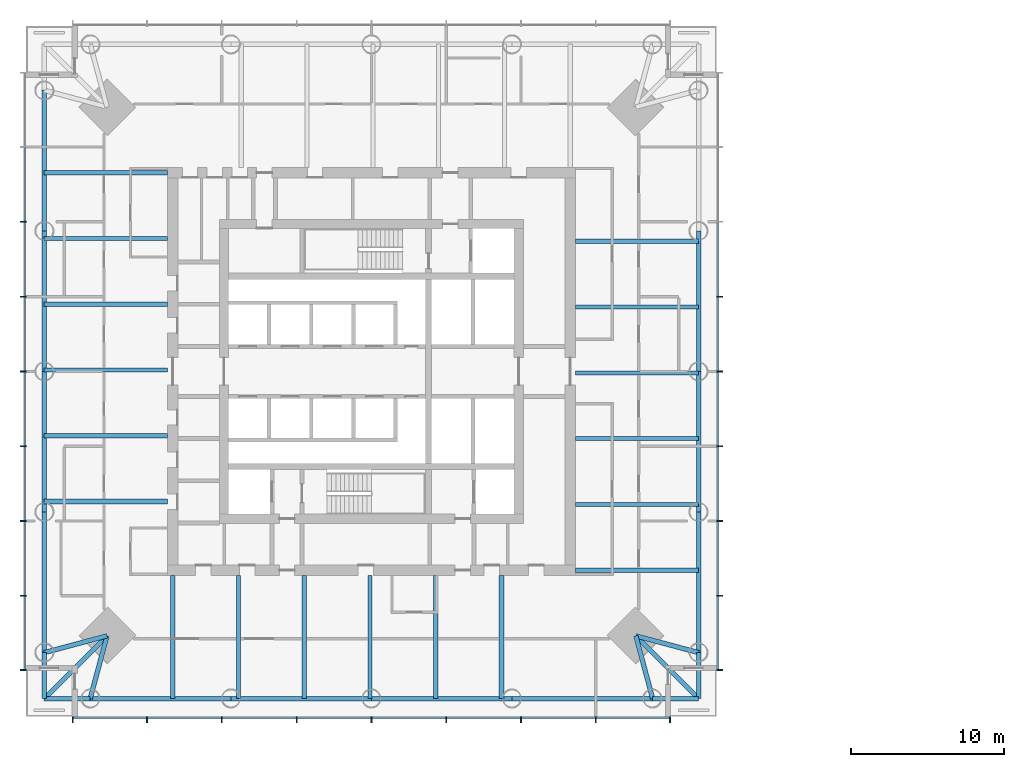
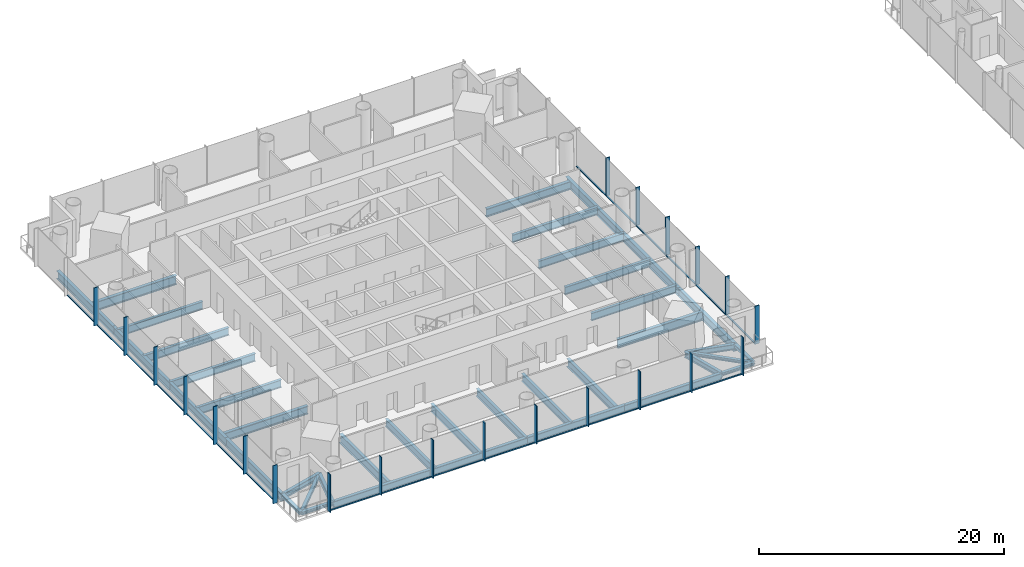
# One storey, part 2 of 18: 43 members, 39 beams, 3 elements without a shape of their own.
"""IFC4 building model written with IfcOpenShell, lengths in metres."""

from ifc_helpers import new_model, si_unit, direction, frame, origin, origin_2d, place, context, subcontext, project, spatial, rectangle, i_section, extrude, material, material_profile, profile_set, type_object, element, aggregate, save


model = new_model("IFC4")

# Units and contexts
model_context = context("Model", 3, precision=1e-05, world=origin(), true_north=direction((0.0, 1.0)))
body_context = subcontext(model_context, "Body", "Model", "MODEL_VIEW")
ifc_project = project(units=[si_unit("LENGTHUNIT", "METRE"), si_unit("AREAUNIT", "SQUARE_METRE"), si_unit("VOLUMEUNIT", "CUBIC_METRE"), si_unit("PLANEANGLEUNIT", "RADIAN"), si_unit("MASSUNIT", "GRAM", prefix="KILO")], contexts=[model_context])

# Site, building, storey
site_placement = place(None, origin())
site = spatial("IfcSite", under=ifc_project, at=site_placement, CompositionType="ELEMENT")
building_placement = place(site_placement, origin())
building = spatial("IfcBuilding", under=site, at=building_placement, Name="Ostroluk Exchange", CompositionType="ELEMENT")
storey_placement = place(building_placement, frame((0.0, 0.0, 104.60009765625)))
storey = spatial("IfcBuildingStorey", under=building, at=storey_placement, Name="L26", CompositionType="ELEMENT", Elevation=104.60009765625)

# Beams
ifc_material_1 = material(Name="Steel S355", Category="steel")
ifc_material_profile_1 = material_profile(ifc_material_1, i_section(OverallWidth=0.300048828125, OverallDepth=0.300048828125, WebThickness=0.010986328125, FlangeThickness=0.01904296875, FilletRadius=0.027099609375, at=origin_2d()), Name="HEB 300")
ifc_profile_set_1 = profile_set([ifc_material_profile_1], Name="Steel S355")
beam_type_1 = type_object("IfcBeamType", Name="Balcony beam HEB 300", PredefinedType="BEAM", material=ifc_profile_set_1)
for number, where, z_axis, x_axis, name in (
    (1, (23.67138671875, 27.67138671875, -0.330078125), (0.0, -1.0, 0.0), (1.0, 0.0, 0.0), "T1 west balcony beam a"),
    (2, (26.67138671875, 24.67138671875, -0.330078125), (-1.0, 0.0, 0.0), (0.0, -1.0, 0.0), "T1 west balcony beam b"),
):
    element("IfcBeam", number, at=place(storey_placement, frame(where, z_axis=z_axis, x_axis=x_axis)), inside=storey, type_object=beam_type_1, Name=name, PredefinedType="BEAM", context=body_context, shape_type="SweptSolid", body=[
        extrude(i_section(OverallWidth=0.300048828125, OverallDepth=0.300048828125, WebThickness=0.010986328125, FlangeThickness=0.01904296875, FilletRadius=0.027099609375, at=origin_2d()), origin(), (0.0, 0.0, 1.0), 3.0),
    ])
beam_1_placement = place(storey_placement, frame((27.771484375, 28.771484375, -0.330078125), z_axis=(-0.707106781187, -0.707106781187, 0.0), x_axis=(0.707106781187, -0.707106781187, 0.0)))
element("IfcBeam", 3, at=beam_1_placement, inside=storey, type_object=beam_type_1, Name="T1 west balcony beam c", PredefinedType="BEAM", context=body_context, shape_type="SweptSolid", body=[
    extrude(i_section(OverallWidth=0.300048828125, OverallDepth=0.300048828125, WebThickness=0.010986328125, FlangeThickness=0.01904296875, FilletRadius=0.027099609375, at=origin_2d()), origin(), (0.0, 0.0, 1.0), 5.79833984375),
])
for number, where, z_axis, x_axis, name in (
    (4, (63.32861328125, 24.67138671875, -0.330078125), (1.0, 0.0, 0.0), (0.0, 1.0, 0.0), "T1 south balcony beam a"),
    (5, (66.32861328125, 27.67138671875, -0.330078125), (0.0, -1.0, 0.0), (1.0, 0.0, 0.0), "T1 south balcony beam b"),
):
    element("IfcBeam", number, at=place(storey_placement, frame(where, z_axis=z_axis, x_axis=x_axis)), inside=storey, type_object=beam_type_1, Name=name, PredefinedType="BEAM", context=body_context, shape_type="SweptSolid", body=[
        extrude(i_section(OverallWidth=0.300048828125, OverallDepth=0.300048828125, WebThickness=0.010986328125, FlangeThickness=0.01904296875, FilletRadius=0.027099609375, at=origin_2d()), origin(), (0.0, 0.0, 1.0), 3.0),
    ])
beam_2_placement = place(storey_placement, frame((62.228515625, 28.771484375, -0.330078125), z_axis=(0.707106781187, -0.707106781187, 0.0), x_axis=(0.707106781187, 0.707106781187, 0.0)))
element("IfcBeam", 6, at=beam_2_placement, inside=storey, type_object=beam_type_1, Name="T1 south balcony beam c", PredefinedType="BEAM", context=body_context, shape_type="SweptSolid", body=[
    extrude(i_section(OverallWidth=0.300048828125, OverallDepth=0.300048828125, WebThickness=0.010986328125, FlangeThickness=0.01904296875, FilletRadius=0.027099609375, at=origin_2d()), origin(), (0.0, 0.0, 1.0), 5.79833984375),
])
ifc_material_2 = material(Name="Steel S355", Category="steel")
ifc_material_profile_2 = material_profile(ifc_material_2, i_section(OverallWidth=0.300048828125, OverallDepth=0.550048828125, WebThickness=0.014892578125, FlangeThickness=0.029052734375, FilletRadius=0.027099609375, at=origin_2d()), Name="HEB 550")
ifc_profile_set_2 = profile_set([ifc_material_profile_2], Name="Steel S355")
beam_type_2 = type_object("IfcBeamType", Name="Corner edge beam HEB 550", PredefinedType="SPANDREL", material=ifc_profile_set_2)
for number, where, z_axis, x_axis, name in (
    (7, (27.771484375, 28.771484375, -0.455078125), (-0.965838624319, -0.259144268261, 0.0), (0.259144268261, -0.965838624319, 0.0), "T1 west corner edge beam a"),
    (8, (27.771484375, 28.771484375, -0.455078125), (-0.259144268261, -0.965838624319, 0.0), (0.965838624319, -0.259144268261, 0.0), "T1 west corner edge beam b"),
    (9, (62.228515625, 28.771484375, -0.455078125), (0.259144268261, -0.965838624319, 0.0), (0.965838624319, 0.259144268261, 0.0), "T1 south corner edge beam a"),
    (10, (62.228515625, 28.771484375, -0.455078125), (0.965838624319, -0.259144268261, 0.0), (0.259144268261, 0.965838624319, 0.0), "T1 south corner edge beam b"),
):
    element("IfcBeam", number, at=place(storey_placement, frame(where, z_axis=z_axis, x_axis=x_axis)), inside=storey, type_object=beam_type_2, Name=name, PredefinedType="SPANDREL", context=body_context, shape_type="SweptSolid", body=[
        extrude(i_section(OverallWidth=0.300048828125, OverallDepth=0.550048828125, WebThickness=0.014892578125, FlangeThickness=0.029052734375, FilletRadius=0.027099609375, at=origin_2d()), origin(), (0.0, 0.0, 1.0), 4.2451171875),
    ])
ifc_material_3 = material(Name="Steel S355", Category="steel")
ifc_material_profile_3 = material_profile(ifc_material_3, i_section(OverallWidth=0.302978515625, OverallDepth=0.81396484375, WebThickness=0.02099609375, FlangeThickness=0.0400390625, FilletRadius=0.030029296875, at=origin_2d()), Name="HEM 800")
ifc_profile_set_3 = profile_set([ifc_material_profile_3], Name="Steel S355")
beam_type_3 = type_object("IfcBeamType", Name="Floor beam HEM 800", PredefinedType="BEAM", material=ifc_profile_set_3)
for number, where, z_axis, x_axis, name in (
    (11, (58.300048828125, 54.47412109375, -0.587158203125), (1.0, 0.0, 0.0), (0.0, 1.0, 0.0), "T1 east floor beam 5"),
    (12, (31.699951171875, 37.52587890625, -0.587158203125), (-1.0, 0.0, 0.0), (0.0, -1.0, 0.0), "T1 west floor beam 5"),
    (13, (53.47412109375, 32.699951171875, -0.587158203125), (0.0, -1.0, 0.0), (1.0, 0.0, 0.0), "T1 south floor beam 5"),
):
    element("IfcBeam", number, at=place(storey_placement, frame(where, z_axis=z_axis, x_axis=x_axis)), inside=storey, type_object=beam_type_3, Name=name, PredefinedType="BEAM", context=body_context, shape_type="SweptSolid", body=[
        extrude(i_section(OverallWidth=0.302978515625, OverallDepth=0.81396484375, WebThickness=0.02099609375, FlangeThickness=0.0400390625, FilletRadius=0.030029296875, at=origin_2d()), origin(), (0.0, 0.0, 1.0), 8.028564453125),
    ])
ifc_material_4 = material(Name="Steel S355", Category="steel")
ifc_material_profile_4 = material_profile(ifc_material_4, i_section(OverallWidth=0.26708984375, OverallDepth=0.761962890625, WebThickness=0.014404296875, FlangeThickness=0.021484375, FilletRadius=0.01708984375, at=origin_2d()), Name="IPE 750x173")
ifc_profile_set_4 = profile_set([ifc_material_profile_4], Name="Steel S355")
beam_type_4 = type_object("IfcBeamType", Name="Floor beam IPE 750x173", PredefinedType="BEAM", material=ifc_profile_set_4)
for number, where, z_axis, x_axis, name in (
    (14, (58.300048828125, 37.334716796875, -0.56103515625), (1.0, 0.0, 0.0), (0.0, 1.0, 0.0), "T1 east floor beam 1"),
    (15, (58.300048828125, 41.61962890625, -0.56103515625), (1.0, 0.0, 0.0), (0.0, 1.0, 0.0), "T1 east floor beam 2"),
    (16, (58.300048828125, 45.904541015625, -0.56103515625), (1.0, 0.0, 0.0), (0.0, 1.0, 0.0), "T1 east floor beam 3"),
    (17, (58.300048828125, 50.189208984375, -0.56103515625), (1.0, 0.0, 0.0), (0.0, 1.0, 0.0), "T1 east floor beam 4"),
    (18, (31.699951171875, 54.665283203125, -0.56103515625), (-1.0, 0.0, 0.0), (0.0, -1.0, 0.0), "T1 west floor beam 1"),
    (19, (31.699951171875, 50.38037109375, -0.56103515625), (-1.0, 0.0, 0.0), (0.0, -1.0, 0.0), "T1 west floor beam 2"),
    (20, (31.699951171875, 46.095458984375, -0.56103515625), (-1.0, 0.0, 0.0), (0.0, -1.0, 0.0), "T1 west floor beam 3"),
    (21, (31.699951171875, 41.810791015625, -0.56103515625), (-1.0, 0.0, 0.0), (0.0, -1.0, 0.0), "T1 west floor beam 4"),
    (22, (36.334716796875, 32.699951171875, -0.56103515625), (0.0, -1.0, 0.0), (1.0, 0.0, 0.0), "T1 south floor beam 1"),
    (23, (40.61962890625, 32.699951171875, -0.56103515625), (0.0, -1.0, 0.0), (1.0, 0.0, 0.0), "T1 south floor beam 2"),
    (24, (44.904541015625, 32.699951171875, -0.56103515625), (0.0, -1.0, 0.0), (1.0, 0.0, 0.0), "T1 south floor beam 3"),
    (25, (49.189208984375, 32.699951171875, -0.56103515625), (0.0, -1.0, 0.0), (1.0, 0.0, 0.0), "T1 south floor beam 4"),
):
    element("IfcBeam", number, at=place(storey_placement, frame(where, z_axis=z_axis, x_axis=x_axis)), inside=storey, type_object=beam_type_4, Name=name, PredefinedType="BEAM", context=body_context, shape_type="SweptSolid", body=[
        extrude(i_section(OverallWidth=0.26708984375, OverallDepth=0.761962890625, WebThickness=0.014404296875, FlangeThickness=0.021484375, FilletRadius=0.01708984375, at=origin_2d()), origin(), (0.0, 0.0, 1.0), 8.028564453125),
    ])
ifc_material_5 = material(Name="Steel S355", Category="steel")
ifc_material_profile_5 = material_profile(ifc_material_5, i_section(OverallWidth=0.300048828125, OverallDepth=0.89990234375, WebThickness=0.0185546875, FlangeThickness=0.034912109375, FilletRadius=0.030029296875, at=origin_2d()), Name="HEB 900")
ifc_profile_set_5 = profile_set([ifc_material_profile_5], Name="Steel S355")
beam_type_5 = type_object("IfcBeamType", Name="Girder HEB 900", PredefinedType="BEAM", material=ifc_profile_set_5)
for number, where, z_axis, x_axis, name in (
    (26, (31.699951171875, 58.949951171875, -0.630126953125), (-1.0, 0.0, 0.0), (0.0, -1.0, 0.0), "T1 north girder"),
    (27, (32.050048828125, 32.699951171875, -0.630126953125), (0.0, -1.0, 0.0), (1.0, 0.0, 0.0), "T1 west girder"),
    (28, (58.300048828125, 33.050048828125, -0.630126953125), (1.0, 0.0, 0.0), (0.0, 1.0, 0.0), "T1 south girder"),
):
    element("IfcBeam", number, at=place(storey_placement, frame(where, z_axis=z_axis, x_axis=x_axis)), inside=storey, type_object=beam_type_5, Name=name, PredefinedType="BEAM", context=body_context, shape_type="SweptSolid", body=[
        extrude(i_section(OverallWidth=0.300048828125, OverallDepth=0.89990234375, WebThickness=0.0185546875, FlangeThickness=0.034912109375, FilletRadius=0.030029296875, at=origin_2d()), origin(), (0.0, 0.0, 1.0), 8.028564453125),
    ])
ifc_material_6 = material(Name="Steel S355", Category="steel")
ifc_material_profile_6 = material_profile(ifc_material_6, i_section(OverallWidth=0.300048828125, OverallDepth=0.800048828125, WebThickness=0.017578125, FlangeThickness=0.032958984375, FilletRadius=0.030029296875, at=origin_2d()), Name="HEB 800")
ifc_profile_set_6 = profile_set([ifc_material_profile_6], Name="Steel S355")
beam_type_6 = type_object("IfcBeamType", Name="Moment-connected edge beam HEB 800", PredefinedType="SPANDREL", material=ifc_profile_set_6)
for number, where, z_axis, x_axis, name in (
    (29, (66.32861328125, 27.67138671875, -0.580078125), (0.0, 1.0, 0.0), (-1.0, 0.0, 0.0), "T1 east edge beam 1"),
    (30, (66.32861328125, 36.835693359375, -0.580078125), (0.0, 1.0, 0.0), (-1.0, 0.0, 0.0), "T1 east edge beam 2"),
    (31, (66.32861328125, 46.0, -0.580078125), (0.0, 1.0, 0.0), (-1.0, 0.0, 0.0), "T1 east edge beam 3"),
    (32, (23.67138671875, 64.32861328125, -0.580078125), (0.0, -1.0, 0.0), (1.0, 0.0, 0.0), "T1 west edge beam 1"),
    (33, (23.67138671875, 55.164306640625, -0.580078125), (0.0, -1.0, 0.0), (1.0, 0.0, 0.0), "T1 west edge beam 2"),
    (34, (23.67138671875, 46.0, -0.580078125), (0.0, -1.0, 0.0), (1.0, 0.0, 0.0), "T1 west edge beam 3"),
    (35, (23.67138671875, 36.835693359375, -0.580078125), (0.0, -1.0, 0.0), (1.0, 0.0, 0.0), "T1 west edge beam 4"),
    (36, (26.67138671875, 24.67138671875, -0.580078125), (1.0, 0.0, 0.0), (0.0, 1.0, 0.0), "T1 south edge beam 1"),
    (37, (35.835693359375, 24.67138671875, -0.580078125), (1.0, 0.0, 0.0), (0.0, 1.0, 0.0), "T1 south edge beam 2"),
    (38, (45.0, 24.67138671875, -0.580078125), (1.0, 0.0, 0.0), (0.0, 1.0, 0.0), "T1 south edge beam 3"),
    (39, (54.164306640625, 24.67138671875, -0.580078125), (1.0, 0.0, 0.0), (0.0, 1.0, 0.0), "T1 south edge beam 4"),
):
    element("IfcBeam", number, at=place(storey_placement, frame(where, z_axis=z_axis, x_axis=x_axis)), inside=storey, type_object=beam_type_6, Name=name, PredefinedType="SPANDREL", context=body_context, shape_type="SweptSolid", body=[
        extrude(i_section(OverallWidth=0.300048828125, OverallDepth=0.800048828125, WebThickness=0.017578125, FlangeThickness=0.032958984375, FilletRadius=0.030029296875, at=origin_2d()), origin(), (0.0, 0.0, 1.0), 9.164306640625),
    ])

# Curtain wall, members
ifc_material_7 = material(Name="Laminated clear glass", Category="glass")
curtain_wall_type = type_object("IfcCurtainWallType", Name="Office tower facade", PredefinedType="USERDEFINED", material=ifc_material_7)
curtain_wall_1_placement = place(storey_placement, origin())
curtain_wall_1 = element("IfcCurtainWall", 40, at=curtain_wall_1_placement, inside=storey, type_object=curtain_wall_type, Name="Office tower south facade L26", ObjectType="UNITISED CURTAIN WALL", PredefinedType="USERDEFINED")
ifc_material_8 = material(Name="Aluminium mullion", Category="aluminium")
ifc_material_profile_7 = material_profile(ifc_material_8, rectangle(XDim=0.14990234375, YDim=0.080078125, at=origin_2d()), Name="Sill transom 80 x 150")
ifc_profile_set_7 = profile_set([ifc_material_profile_7], Name="Aluminium mullion")
member_type_1 = type_object("IfcMemberType", Name="Sill transom 80 x 150", PredefinedType="USERDEFINED", material=ifc_profile_set_7)
member_1_placement = place(storey_placement, frame((25.580078125, 23.425048828125, 0.039794921875), z_axis=(1.0, 0.0, 0.0), x_axis=(0.0, 1.0, 0.0)))
member_1 = element("IfcMember", 41, at=member_1_placement, type_object=member_type_1, Name="CW-O1 transom 1.1", ObjectType="TRANSOM", PredefinedType="USERDEFINED", context=body_context, shape_type="SweptSolid", body=[
    extrude(rectangle(XDim=0.14990234375, YDim=0.080078125, at=origin_2d()), origin(), (0.0, 0.0, 1.0), 4.7548828125),
])
member_2_placement = place(storey_placement, frame((30.4150390625, 23.425048828125, 0.039794921875), z_axis=(1.0, 0.0, 0.0), x_axis=(0.0, 1.0, 0.0)))
member_2 = element("IfcMember", 42, at=member_2_placement, type_object=member_type_1, Name="CW-O1 transom 2.1", ObjectType="TRANSOM", PredefinedType="USERDEFINED", context=body_context, shape_type="SweptSolid", body=[
    extrude(rectangle(XDim=0.14990234375, YDim=0.080078125, at=origin_2d()), origin(), (0.0, 0.0, 1.0), 4.794921875),
])
member_3_placement = place(storey_placement, frame((35.2900390625, 23.425048828125, 0.039794921875), z_axis=(1.0, 0.0, 0.0), x_axis=(0.0, 1.0, 0.0)))
member_3 = element("IfcMember", 43, at=member_3_placement, type_object=member_type_1, Name="CW-O1 transom 3.1", ObjectType="TRANSOM", PredefinedType="USERDEFINED", context=body_context, shape_type="SweptSolid", body=[
    extrude(rectangle(XDim=0.14990234375, YDim=0.080078125, at=origin_2d()), origin(), (0.0, 0.0, 1.0), 4.794921875),
])
member_4_placement = place(storey_placement, frame((40.1650390625, 23.425048828125, 0.039794921875), z_axis=(1.0, 0.0, 0.0), x_axis=(0.0, 1.0, 0.0)))
member_4 = element("IfcMember", 44, at=member_4_placement, type_object=member_type_1, Name="CW-O1 transom 4.1", ObjectType="TRANSOM", PredefinedType="USERDEFINED", context=body_context, shape_type="SweptSolid", body=[
    extrude(rectangle(XDim=0.14990234375, YDim=0.080078125, at=origin_2d()), origin(), (0.0, 0.0, 1.0), 4.794921875),
])
member_5_placement = place(storey_placement, frame((45.0400390625, 23.425048828125, 0.039794921875), z_axis=(1.0, 0.0, 0.0), x_axis=(0.0, 1.0, 0.0)))
member_5 = element("IfcMember", 45, at=member_5_placement, type_object=member_type_1, Name="CW-O1 transom 5.1", ObjectType="TRANSOM", PredefinedType="USERDEFINED", context=body_context, shape_type="SweptSolid", body=[
    extrude(rectangle(XDim=0.14990234375, YDim=0.080078125, at=origin_2d()), origin(), (0.0, 0.0, 1.0), 4.794921875),
])
member_6_placement = place(storey_placement, frame((49.9150390625, 23.425048828125, 0.039794921875), z_axis=(1.0, 0.0, 0.0), x_axis=(0.0, 1.0, 0.0)))
member_6 = element("IfcMember", 46, at=member_6_placement, type_object=member_type_1, Name="CW-O1 transom 6.1", ObjectType="TRANSOM", PredefinedType="USERDEFINED", context=body_context, shape_type="SweptSolid", body=[
    extrude(rectangle(XDim=0.14990234375, YDim=0.080078125, at=origin_2d()), origin(), (0.0, 0.0, 1.0), 4.794921875),
])
member_7_placement = place(storey_placement, frame((54.7900390625, 23.425048828125, 0.039794921875), z_axis=(1.0, 0.0, 0.0), x_axis=(0.0, 1.0, 0.0)))
member_7 = element("IfcMember", 47, at=member_7_placement, type_object=member_type_1, Name="CW-O1 transom 7.1", ObjectType="TRANSOM", PredefinedType="USERDEFINED", context=body_context, shape_type="SweptSolid", body=[
    extrude(rectangle(XDim=0.14990234375, YDim=0.080078125, at=origin_2d()), origin(), (0.0, 0.0, 1.0), 4.794921875),
])
member_8_placement = place(storey_placement, frame((59.6650390625, 23.425048828125, 0.039794921875), z_axis=(1.0, 0.0, 0.0), x_axis=(0.0, 1.0, 0.0)))
member_8 = element("IfcMember", 48, at=member_8_placement, type_object=member_type_1, Name="CW-O1 transom 8.1", ObjectType="TRANSOM", PredefinedType="USERDEFINED", context=body_context, shape_type="SweptSolid", body=[
    extrude(rectangle(XDim=0.14990234375, YDim=0.080078125, at=origin_2d()), origin(), (0.0, 0.0, 1.0), 4.7548828125),
])

curtain_wall_2_placement = place(storey_placement, origin())
curtain_wall_2 = element("IfcCurtainWall", 49, at=curtain_wall_2_placement, inside=storey, type_object=curtain_wall_type, Name="Office tower east facade L26", ObjectType="UNITISED CURTAIN WALL", PredefinedType="USERDEFINED")
member_9_placement = place(storey_placement, frame((67.574951171875, 26.580078125, 0.039794921875), z_axis=(0.0, 1.0, 0.0), x_axis=(-1.0, 0.0, 0.0)))
member_9 = element("IfcMember", 50, at=member_9_placement, type_object=member_type_1, Name="CW-O1 transom 1.1", ObjectType="TRANSOM", PredefinedType="USERDEFINED", context=body_context, shape_type="SweptSolid", body=[
    extrude(rectangle(XDim=0.14990234375, YDim=0.080078125, at=origin_2d()), origin(), (0.0, 0.0, 1.0), 4.7548828125),
])
member_10_placement = place(storey_placement, frame((67.574951171875, 31.4150390625, 0.039794921875), z_axis=(0.0, 1.0, 0.0), x_axis=(-1.0, 0.0, 0.0)))
member_10 = element("IfcMember", 51, at=member_10_placement, type_object=member_type_1, Name="CW-O1 transom 2.1", ObjectType="TRANSOM", PredefinedType="USERDEFINED", context=body_context, shape_type="SweptSolid", body=[
    extrude(rectangle(XDim=0.14990234375, YDim=0.080078125, at=origin_2d()), origin(), (0.0, 0.0, 1.0), 4.794921875),
])
member_11_placement = place(storey_placement, frame((67.574951171875, 36.2900390625, 0.039794921875), z_axis=(0.0, 1.0, 0.0), x_axis=(-1.0, 0.0, 0.0)))
member_11 = element("IfcMember", 52, at=member_11_placement, type_object=member_type_1, Name="CW-O1 transom 3.1", ObjectType="TRANSOM", PredefinedType="USERDEFINED", context=body_context, shape_type="SweptSolid", body=[
    extrude(rectangle(XDim=0.14990234375, YDim=0.080078125, at=origin_2d()), origin(), (0.0, 0.0, 1.0), 4.794921875),
])
member_12_placement = place(storey_placement, frame((67.574951171875, 41.1650390625, 0.039794921875), z_axis=(0.0, 1.0, 0.0), x_axis=(-1.0, 0.0, 0.0)))
member_12 = element("IfcMember", 53, at=member_12_placement, type_object=member_type_1, Name="CW-O1 transom 4.1", ObjectType="TRANSOM", PredefinedType="USERDEFINED", context=body_context, shape_type="SweptSolid", body=[
    extrude(rectangle(XDim=0.14990234375, YDim=0.080078125, at=origin_2d()), origin(), (0.0, 0.0, 1.0), 4.794921875),
])
member_13_placement = place(storey_placement, frame((67.574951171875, 46.0400390625, 0.039794921875), z_axis=(0.0, 1.0, 0.0), x_axis=(-1.0, 0.0, 0.0)))
member_13 = element("IfcMember", 54, at=member_13_placement, type_object=member_type_1, Name="CW-O1 transom 5.1", ObjectType="TRANSOM", PredefinedType="USERDEFINED", context=body_context, shape_type="SweptSolid", body=[
    extrude(rectangle(XDim=0.14990234375, YDim=0.080078125, at=origin_2d()), origin(), (0.0, 0.0, 1.0), 4.794921875),
])
member_14_placement = place(storey_placement, frame((67.574951171875, 50.9150390625, 0.039794921875), z_axis=(0.0, 1.0, 0.0), x_axis=(-1.0, 0.0, 0.0)))
member_14 = element("IfcMember", 55, at=member_14_placement, type_object=member_type_1, Name="CW-O1 transom 6.1", ObjectType="TRANSOM", PredefinedType="USERDEFINED", context=body_context, shape_type="SweptSolid", body=[
    extrude(rectangle(XDim=0.14990234375, YDim=0.080078125, at=origin_2d()), origin(), (0.0, 0.0, 1.0), 4.794921875),
])

curtain_wall_3_placement = place(storey_placement, origin())
curtain_wall_3 = element("IfcCurtainWall", 56, at=curtain_wall_3_placement, inside=storey, type_object=curtain_wall_type, Name="Office tower west facade L26", ObjectType="UNITISED CURTAIN WALL", PredefinedType="USERDEFINED")
member_15_placement = place(storey_placement, frame((22.425048828125, 60.5849609375, 0.039794921875), z_axis=(0.0, -1.0, 0.0), x_axis=(1.0, 0.0, 0.0)))
member_15 = element("IfcMember", 57, at=member_15_placement, type_object=member_type_1, Name="CW-O1 transom 2.1", ObjectType="TRANSOM", PredefinedType="USERDEFINED", context=body_context, shape_type="SweptSolid", body=[
    extrude(rectangle(XDim=0.14990234375, YDim=0.080078125, at=origin_2d()), origin(), (0.0, 0.0, 1.0), 4.794921875),
])
member_16_placement = place(storey_placement, frame((22.425048828125, 55.7099609375, 0.039794921875), z_axis=(0.0, -1.0, 0.0), x_axis=(1.0, 0.0, 0.0)))
member_16 = element("IfcMember", 58, at=member_16_placement, type_object=member_type_1, Name="CW-O1 transom 3.1", ObjectType="TRANSOM", PredefinedType="USERDEFINED", context=body_context, shape_type="SweptSolid", body=[
    extrude(rectangle(XDim=0.14990234375, YDim=0.080078125, at=origin_2d()), origin(), (0.0, 0.0, 1.0), 4.794921875),
])
member_17_placement = place(storey_placement, frame((22.425048828125, 50.8349609375, 0.039794921875), z_axis=(0.0, -1.0, 0.0), x_axis=(1.0, 0.0, 0.0)))
member_17 = element("IfcMember", 59, at=member_17_placement, type_object=member_type_1, Name="CW-O1 transom 4.1", ObjectType="TRANSOM", PredefinedType="USERDEFINED", context=body_context, shape_type="SweptSolid", body=[
    extrude(rectangle(XDim=0.14990234375, YDim=0.080078125, at=origin_2d()), origin(), (0.0, 0.0, 1.0), 4.794921875),
])
member_18_placement = place(storey_placement, frame((22.425048828125, 45.9599609375, 0.039794921875), z_axis=(0.0, -1.0, 0.0), x_axis=(1.0, 0.0, 0.0)))
member_18 = element("IfcMember", 60, at=member_18_placement, type_object=member_type_1, Name="CW-O1 transom 5.1", ObjectType="TRANSOM", PredefinedType="USERDEFINED", context=body_context, shape_type="SweptSolid", body=[
    extrude(rectangle(XDim=0.14990234375, YDim=0.080078125, at=origin_2d()), origin(), (0.0, 0.0, 1.0), 4.794921875),
])
member_19_placement = place(storey_placement, frame((22.425048828125, 41.0849609375, 0.039794921875), z_axis=(0.0, -1.0, 0.0), x_axis=(1.0, 0.0, 0.0)))
member_19 = element("IfcMember", 61, at=member_19_placement, type_object=member_type_1, Name="CW-O1 transom 6.1", ObjectType="TRANSOM", PredefinedType="USERDEFINED", context=body_context, shape_type="SweptSolid", body=[
    extrude(rectangle(XDim=0.14990234375, YDim=0.080078125, at=origin_2d()), origin(), (0.0, 0.0, 1.0), 4.794921875),
])
member_20_placement = place(storey_placement, frame((22.425048828125, 36.2099609375, 0.039794921875), z_axis=(0.0, -1.0, 0.0), x_axis=(1.0, 0.0, 0.0)))
member_20 = element("IfcMember", 62, at=member_20_placement, type_object=member_type_1, Name="CW-O1 transom 7.1", ObjectType="TRANSOM", PredefinedType="USERDEFINED", context=body_context, shape_type="SweptSolid", body=[
    extrude(rectangle(XDim=0.14990234375, YDim=0.080078125, at=origin_2d()), origin(), (0.0, 0.0, 1.0), 4.794921875),
])
member_21_placement = place(storey_placement, frame((22.425048828125, 31.3349609375, 0.039794921875), z_axis=(0.0, -1.0, 0.0), x_axis=(1.0, 0.0, 0.0)))
member_21 = element("IfcMember", 63, at=member_21_placement, type_object=member_type_1, Name="CW-O1 transom 8.1", ObjectType="TRANSOM", PredefinedType="USERDEFINED", context=body_context, shape_type="SweptSolid", body=[
    extrude(rectangle(XDim=0.14990234375, YDim=0.080078125, at=origin_2d()), origin(), (0.0, 0.0, 1.0), 4.7548828125),
])

# Member
ifc_material_9 = material(Name="Aluminium mullion with limestone facing", Category="masonry")
ifc_material_profile_8 = material_profile(ifc_material_9, rectangle(XDim=0.39990234375, YDim=0.080078125, at=origin_2d()), Name="Tracery mullion 80 x 400")
ifc_profile_set_8 = profile_set([ifc_material_profile_8], Name="Aluminium mullion with limestone facing")
member_type_2 = type_object("IfcMemberType", Name="Tracery mullion 80 x 400", PredefinedType="MULLION", material=ifc_profile_set_8)
member_22_placement = place(storey_placement, frame((25.5400390625, 23.300048828125, 0.0), z_axis=(0.0, 0.0, 1.0), x_axis=(0.0, 1.0, 0.0)))
member_22 = element("IfcMember", 64, at=member_22_placement, type_object=member_type_2, Name="CW-O1 mullion 1", PredefinedType="MULLION", context=body_context, shape_type="SweptSolid", body=[
    extrude(rectangle(XDim=0.39990234375, YDim=0.080078125, at=origin_2d()), origin(), (0.0, 0.0, 1.0), 3.7998046875),
])

member_23_placement = place(storey_placement, frame((30.375, 23.300048828125, 0.0), z_axis=(0.0, 0.0, 1.0), x_axis=(0.0, 1.0, 0.0)))
member_23 = element("IfcMember", 65, at=member_23_placement, type_object=member_type_2, Name="CW-O1 mullion 2", PredefinedType="MULLION", context=body_context, shape_type="SweptSolid", body=[
    extrude(rectangle(XDim=0.39990234375, YDim=0.080078125, at=origin_2d()), origin(), (0.0, 0.0, 1.0), 3.7998046875),
])

member_24_placement = place(storey_placement, frame((35.25, 23.300048828125, 0.0), z_axis=(0.0, 0.0, 1.0), x_axis=(0.0, 1.0, 0.0)))
member_24 = element("IfcMember", 66, at=member_24_placement, type_object=member_type_2, Name="CW-O1 mullion 3", PredefinedType="MULLION", context=body_context, shape_type="SweptSolid", body=[
    extrude(rectangle(XDim=0.39990234375, YDim=0.080078125, at=origin_2d()), origin(), (0.0, 0.0, 1.0), 3.7998046875),
])

member_25_placement = place(storey_placement, frame((40.125, 23.300048828125, 0.0), z_axis=(0.0, 0.0, 1.0), x_axis=(0.0, 1.0, 0.0)))
member_25 = element("IfcMember", 67, at=member_25_placement, type_object=member_type_2, Name="CW-O1 mullion 4", PredefinedType="MULLION", context=body_context, shape_type="SweptSolid", body=[
    extrude(rectangle(XDim=0.39990234375, YDim=0.080078125, at=origin_2d()), origin(), (0.0, 0.0, 1.0), 3.7998046875),
])

member_26_placement = place(storey_placement, frame((45.0, 23.300048828125, 0.0), z_axis=(0.0, 0.0, 1.0), x_axis=(0.0, 1.0, 0.0)))
member_26 = element("IfcMember", 68, at=member_26_placement, type_object=member_type_2, Name="CW-O1 mullion 5", PredefinedType="MULLION", context=body_context, shape_type="SweptSolid", body=[
    extrude(rectangle(XDim=0.39990234375, YDim=0.080078125, at=origin_2d()), origin(), (0.0, 0.0, 1.0), 3.7998046875),
])

member_27_placement = place(storey_placement, frame((49.875, 23.300048828125, 0.0), z_axis=(0.0, 0.0, 1.0), x_axis=(0.0, 1.0, 0.0)))
member_27 = element("IfcMember", 69, at=member_27_placement, type_object=member_type_2, Name="CW-O1 mullion 6", PredefinedType="MULLION", context=body_context, shape_type="SweptSolid", body=[
    extrude(rectangle(XDim=0.39990234375, YDim=0.080078125, at=origin_2d()), origin(), (0.0, 0.0, 1.0), 3.7998046875),
])

member_28_placement = place(storey_placement, frame((54.75, 23.300048828125, 0.0), z_axis=(0.0, 0.0, 1.0), x_axis=(0.0, 1.0, 0.0)))
member_28 = element("IfcMember", 70, at=member_28_placement, type_object=member_type_2, Name="CW-O1 mullion 7", PredefinedType="MULLION", context=body_context, shape_type="SweptSolid", body=[
    extrude(rectangle(XDim=0.39990234375, YDim=0.080078125, at=origin_2d()), origin(), (0.0, 0.0, 1.0), 3.7998046875),
])

member_29_placement = place(storey_placement, frame((59.625, 23.300048828125, 0.0), z_axis=(0.0, 0.0, 1.0), x_axis=(0.0, 1.0, 0.0)))
member_29 = element("IfcMember", 71, at=member_29_placement, type_object=member_type_2, Name="CW-O1 mullion 8", PredefinedType="MULLION", context=body_context, shape_type="SweptSolid", body=[
    extrude(rectangle(XDim=0.39990234375, YDim=0.080078125, at=origin_2d()), origin(), (0.0, 0.0, 1.0), 3.7998046875),
])

member_30_placement = place(storey_placement, frame((64.4599609375, 23.300048828125, 0.0), z_axis=(0.0, 0.0, 1.0), x_axis=(0.0, 1.0, 0.0)))
member_30 = element("IfcMember", 72, at=member_30_placement, type_object=member_type_2, Name="CW-O1 mullion 9", PredefinedType="MULLION", context=body_context, shape_type="SweptSolid", body=[
    extrude(rectangle(XDim=0.39990234375, YDim=0.080078125, at=origin_2d()), origin(), (0.0, 0.0, 1.0), 3.7998046875),
])

aggregate(curtain_wall_1, [member_22, member_23, member_24, member_25, member_26, member_27, member_28, member_29, member_30, member_1, member_2, member_3, member_4, member_5, member_6, member_7, member_8])

member_31_placement = place(storey_placement, frame((67.699951171875, 26.5400390625, 0.0), z_axis=(0.0, 0.0, 1.0), x_axis=(-1.0, 0.0, 0.0)))
member_31 = element("IfcMember", 73, at=member_31_placement, type_object=member_type_2, Name="CW-O1 mullion 1", PredefinedType="MULLION", context=body_context, shape_type="SweptSolid", body=[
    extrude(rectangle(XDim=0.39990234375, YDim=0.080078125, at=origin_2d()), origin(), (0.0, 0.0, 1.0), 3.7998046875),
])

member_32_placement = place(storey_placement, frame((67.699951171875, 31.375, 0.0), z_axis=(0.0, 0.0, 1.0), x_axis=(-1.0, 0.0, 0.0)))
member_32 = element("IfcMember", 74, at=member_32_placement, type_object=member_type_2, Name="CW-O1 mullion 2", PredefinedType="MULLION", context=body_context, shape_type="SweptSolid", body=[
    extrude(rectangle(XDim=0.39990234375, YDim=0.080078125, at=origin_2d()), origin(), (0.0, 0.0, 1.0), 3.7998046875),
])

member_33_placement = place(storey_placement, frame((67.699951171875, 36.25, 0.0), z_axis=(0.0, 0.0, 1.0), x_axis=(-1.0, 0.0, 0.0)))
member_33 = element("IfcMember", 75, at=member_33_placement, type_object=member_type_2, Name="CW-O1 mullion 3", PredefinedType="MULLION", context=body_context, shape_type="SweptSolid", body=[
    extrude(rectangle(XDim=0.39990234375, YDim=0.080078125, at=origin_2d()), origin(), (0.0, 0.0, 1.0), 3.7998046875),
])

member_34_placement = place(storey_placement, frame((67.699951171875, 41.125, 0.0), z_axis=(0.0, 0.0, 1.0), x_axis=(-1.0, 0.0, 0.0)))
member_34 = element("IfcMember", 76, at=member_34_placement, type_object=member_type_2, Name="CW-O1 mullion 4", PredefinedType="MULLION", context=body_context, shape_type="SweptSolid", body=[
    extrude(rectangle(XDim=0.39990234375, YDim=0.080078125, at=origin_2d()), origin(), (0.0, 0.0, 1.0), 3.7998046875),
])

member_35_placement = place(storey_placement, frame((67.699951171875, 46.0, 0.0), z_axis=(0.0, 0.0, 1.0), x_axis=(-1.0, 0.0, 0.0)))
member_35 = element("IfcMember", 77, at=member_35_placement, type_object=member_type_2, Name="CW-O1 mullion 5", PredefinedType="MULLION", context=body_context, shape_type="SweptSolid", body=[
    extrude(rectangle(XDim=0.39990234375, YDim=0.080078125, at=origin_2d()), origin(), (0.0, 0.0, 1.0), 3.7998046875),
])

member_36_placement = place(storey_placement, frame((67.699951171875, 50.875, 0.0), z_axis=(0.0, 0.0, 1.0), x_axis=(-1.0, 0.0, 0.0)))
member_36 = element("IfcMember", 78, at=member_36_placement, type_object=member_type_2, Name="CW-O1 mullion 6", PredefinedType="MULLION", context=body_context, shape_type="SweptSolid", body=[
    extrude(rectangle(XDim=0.39990234375, YDim=0.080078125, at=origin_2d()), origin(), (0.0, 0.0, 1.0), 3.7998046875),
])

aggregate(curtain_wall_2, [member_31, member_32, member_33, member_34, member_35, member_36, member_9, member_10, member_11, member_12, member_13, member_14])

member_37_placement = place(storey_placement, frame((22.300048828125, 55.75, 0.0), z_axis=(0.0, 0.0, 1.0), x_axis=(1.0, 0.0, 0.0)))
member_37 = element("IfcMember", 79, at=member_37_placement, type_object=member_type_2, Name="CW-O1 mullion 3", PredefinedType="MULLION", context=body_context, shape_type="SweptSolid", body=[
    extrude(rectangle(XDim=0.39990234375, YDim=0.080078125, at=origin_2d()), origin(), (0.0, 0.0, 1.0), 3.7998046875),
])

member_38_placement = place(storey_placement, frame((22.300048828125, 50.875, 0.0), z_axis=(0.0, 0.0, 1.0), x_axis=(1.0, 0.0, 0.0)))
member_38 = element("IfcMember", 80, at=member_38_placement, type_object=member_type_2, Name="CW-O1 mullion 4", PredefinedType="MULLION", context=body_context, shape_type="SweptSolid", body=[
    extrude(rectangle(XDim=0.39990234375, YDim=0.080078125, at=origin_2d()), origin(), (0.0, 0.0, 1.0), 3.7998046875),
])

member_39_placement = place(storey_placement, frame((22.300048828125, 46.0, 0.0), z_axis=(0.0, 0.0, 1.0), x_axis=(1.0, 0.0, 0.0)))
member_39 = element("IfcMember", 81, at=member_39_placement, type_object=member_type_2, Name="CW-O1 mullion 5", PredefinedType="MULLION", context=body_context, shape_type="SweptSolid", body=[
    extrude(rectangle(XDim=0.39990234375, YDim=0.080078125, at=origin_2d()), origin(), (0.0, 0.0, 1.0), 3.7998046875),
])

member_40_placement = place(storey_placement, frame((22.300048828125, 41.125, 0.0), z_axis=(0.0, 0.0, 1.0), x_axis=(1.0, 0.0, 0.0)))
member_40 = element("IfcMember", 82, at=member_40_placement, type_object=member_type_2, Name="CW-O1 mullion 6", PredefinedType="MULLION", context=body_context, shape_type="SweptSolid", body=[
    extrude(rectangle(XDim=0.39990234375, YDim=0.080078125, at=origin_2d()), origin(), (0.0, 0.0, 1.0), 3.7998046875),
])

member_41_placement = place(storey_placement, frame((22.300048828125, 36.25, 0.0), z_axis=(0.0, 0.0, 1.0), x_axis=(1.0, 0.0, 0.0)))
member_41 = element("IfcMember", 83, at=member_41_placement, type_object=member_type_2, Name="CW-O1 mullion 7", PredefinedType="MULLION", context=body_context, shape_type="SweptSolid", body=[
    extrude(rectangle(XDim=0.39990234375, YDim=0.080078125, at=origin_2d()), origin(), (0.0, 0.0, 1.0), 3.7998046875),
])

member_42_placement = place(storey_placement, frame((22.300048828125, 31.375, 0.0), z_axis=(0.0, 0.0, 1.0), x_axis=(1.0, 0.0, 0.0)))
member_42 = element("IfcMember", 84, at=member_42_placement, type_object=member_type_2, Name="CW-O1 mullion 8", PredefinedType="MULLION", context=body_context, shape_type="SweptSolid", body=[
    extrude(rectangle(XDim=0.39990234375, YDim=0.080078125, at=origin_2d()), origin(), (0.0, 0.0, 1.0), 3.7998046875),
])

member_43_placement = place(storey_placement, frame((22.300048828125, 26.5400390625, 0.0), z_axis=(0.0, 0.0, 1.0), x_axis=(1.0, 0.0, 0.0)))
member_43 = element("IfcMember", 85, at=member_43_placement, type_object=member_type_2, Name="CW-O1 mullion 9", PredefinedType="MULLION", context=body_context, shape_type="SweptSolid", body=[
    extrude(rectangle(XDim=0.39990234375, YDim=0.080078125, at=origin_2d()), origin(), (0.0, 0.0, 1.0), 3.7998046875),
])

aggregate(curtain_wall_3, [member_37, member_38, member_39, member_40, member_41, member_42, member_43, member_15, member_16, member_17, member_18, member_19, member_20, member_21])

save(model, "model.ifc")
